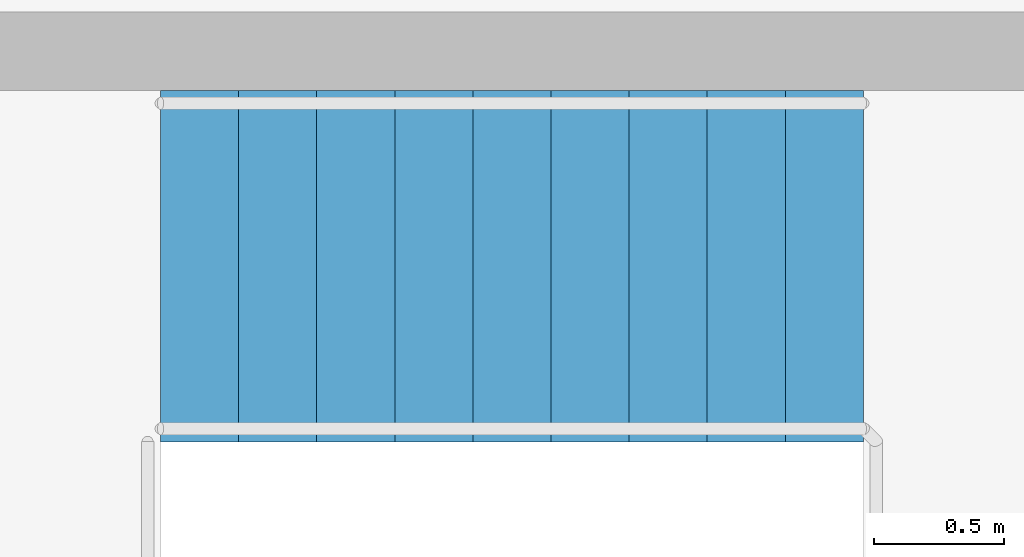
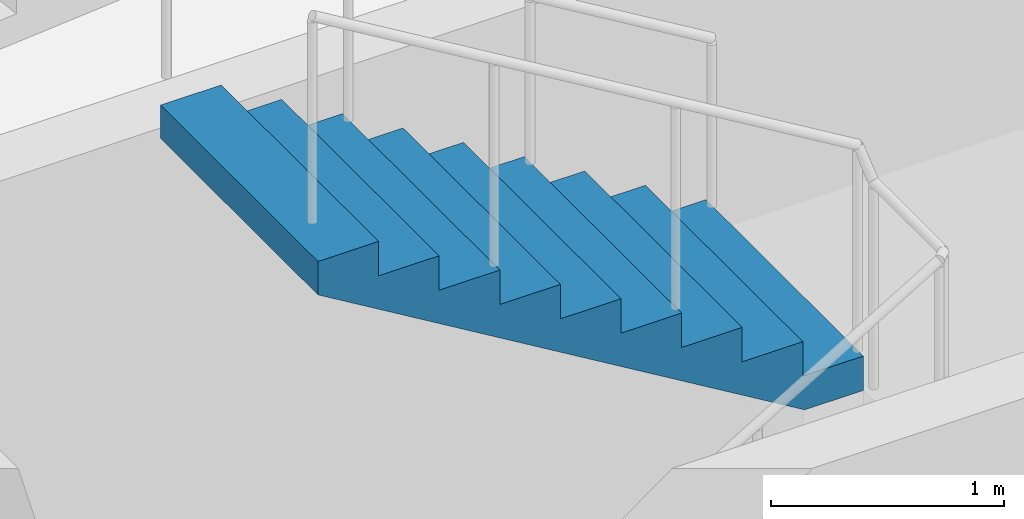
# One storey, part 11 of 13: 1 stair flight, 1 element without a shape of its own.
"""IFC4 building model written with IfcOpenShell, lengths in metres."""

from ifc_helpers import new_model, si_unit, direction, frame, origin, place, context, subcontext, project, spatial, polyline, outline, extrude, material, type_object, element, aggregate, save


model = new_model("IFC4")

# Units and contexts
model_context = context("Model", 3, precision=1e-05, world=origin(), true_north=direction((0.0, 1.0)))
body_context = subcontext(model_context, "Body", "Model", "MODEL_VIEW")
ifc_project = project(units=[si_unit("LENGTHUNIT", "METRE"), si_unit("AREAUNIT", "SQUARE_METRE"), si_unit("VOLUMEUNIT", "CUBIC_METRE"), si_unit("PLANEANGLEUNIT", "RADIAN"), si_unit("MASSUNIT", "GRAM", prefix="KILO")], contexts=[model_context])

# Site, building, storey
site_placement = place(None, origin())
site = spatial("IfcSite", under=ifc_project, at=site_placement, CompositionType="ELEMENT")
building_placement = place(site_placement, origin())
building = spatial("IfcBuilding", under=site, at=building_placement, Name="Brondeck Convention Tower", CompositionType="ELEMENT")
storey_placement = place(building_placement, frame((0.0, 0.0, 48.300048828125)))
storey = spatial("IfcBuildingStorey", under=building, at=storey_placement, Name="L09", CompositionType="ELEMENT", Elevation=48.300048828125)

# Stair, stair flight
ifc_material = material(Name="Precast concrete C50/60", Category="concrete")
stair_type = type_object("IfcStairType", Name="Core stair 20 risers 180.00 mm riser 300 mm going 1350 wide", PredefinedType="HALF_TURN_STAIR", material=ifc_material)
stair_placement = place(storey_placement, origin())
stair = element("IfcStair", 1, at=stair_placement, inside=storey, type_object=stair_type, Name="ST-AE L09 stair", PredefinedType="HALF_TURN_STAIR")
stair_flight_type = type_object("IfcStairFlightType", Name="Core stair flight 20 risers 180.00 mm riser 300 mm going 1350 wide", PredefinedType="STRAIGHT", material=ifc_material)
stair_flight_placement = place(storey_placement, frame((40.550048828125, 56.77490234375, 1.800048828125), z_axis=(0.0, 0.0, 1.0), x_axis=(-1.0, 0.0, 0.0)))
stair_flight = element("IfcStairFlight", 2, at=stair_flight_placement, type_object=stair_flight_type, Name="ST-AE flight 2", NumberOfRisers=10, NumberOfTreads=9, PredefinedType="STRAIGHT", RiserHeight=0.18, TreadLength=0.3, context=body_context, shape_type="SweptSolid", body=[
    extrude(outline(polyline([(0.0, 0.0), (0.0, 0.179931640625), (0.300048828125, 0.179931640625), (0.300048828125, 0.360107421875), (0.60009765625, 0.360107421875), (0.60009765625, 0.5400390625), (0.89990234375, 0.5400390625), (0.89990234375, 0.719970703125), (1.199951171875, 0.719970703125), (1.199951171875, 0.89990234375), (1.5, 0.89990234375), (1.5, 1.080078125), (1.800048828125, 1.080078125), (1.800048828125, 1.260009765625), (2.10009765625, 1.260009765625), (2.10009765625, 1.43994140625), (2.39990234375, 1.43994140625), (2.39990234375, 1.6201171875), (2.699951171875, 1.6201171875), (2.699951171875, 1.800048828125), (2.699951171875, 1.445068359375), (0.291259765625, 0.0), (0.0, 0.0)])), frame((0.0, 0.675048828125, 0.0), z_axis=(0.0, -1.0, 0.0), x_axis=(1.0, 0.0, 0.0)), (0.0, 0.0, 1.0), 1.35009765625),
])
aggregate(stair, [stair_flight])

save(model, "model.ifc")
